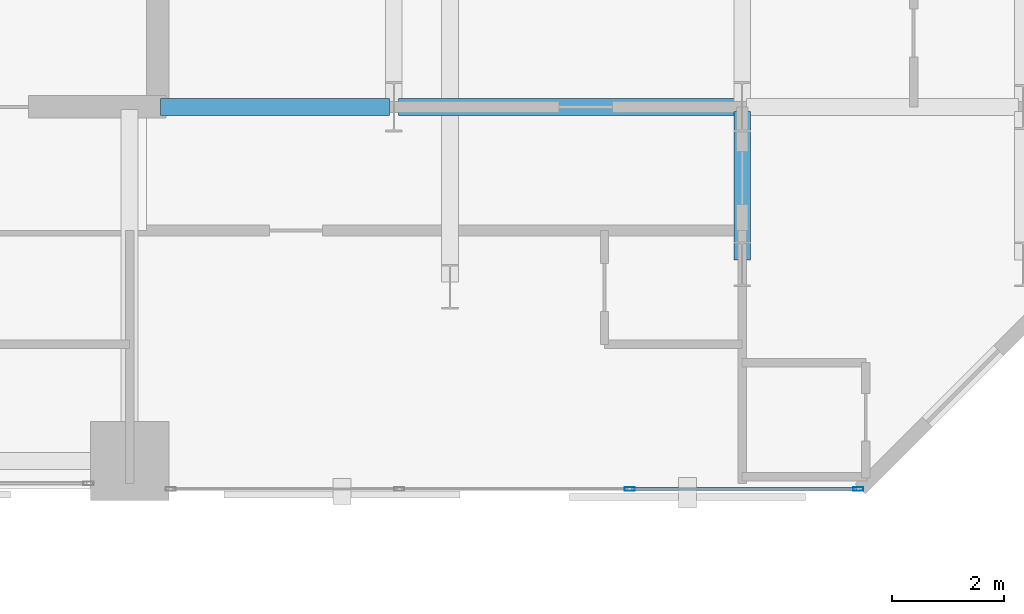
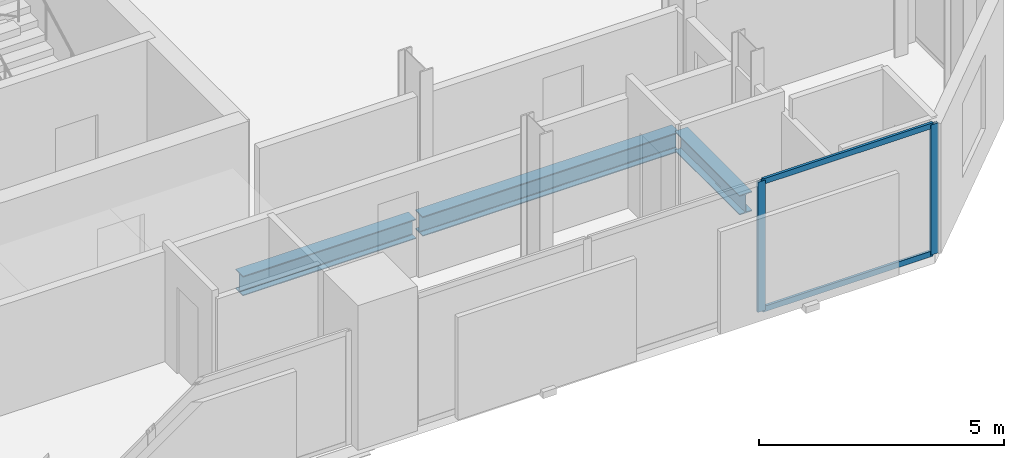
# One storey, part 16 of 33: 4 members, 3 beams, 1 element without a shape of its own.
"""IFC4 building model written with IfcOpenShell, lengths in metres."""

import ifcopenshell
import ifcopenshell.guid

model = None  # the IFC model being written
_history = None  # IfcOwnerHistory: only IFC2X3 demands one
_inside = {}  # id of a spatial element -> (the spatial element, [elements in it])
_under = {}  # id of a project, library or spatial element -> (it, [spatial elements below it])
_declared = {}  # id of a project -> (the project, [libraries it declares])
_typed = {}  # id of a type object -> (the type object, [elements of that type])
_made_of = {}  # id of a material, layer set ... -> (it, [elements and type objects made of it])


def new_model(schema):
    """Start an empty IFC model of exactly this schema.

    Asked for "IFC4X3", IfcOpenShell would pick the latest addendum, in which some entities
    have other attributes; the version numbers below select the first issue.
    IFC2X3 requires an IfcOwnerHistory on every rooted entity: one is made here for all.
    """
    global model, _history
    if schema == "IFC4X3":
        model = ifcopenshell.file(schema_version=(4, 3, 0, 0))
    else:
        model = ifcopenshell.file(schema=schema)
    _inside.clear()
    _under.clear()
    _declared.clear()
    _typed.clear()
    _made_of.clear()
    _history = None
    if model.schema == "IFC2X3":
        org = make("IfcOrganization", Name="unknown")
        user = make(
            "IfcPersonAndOrganization",
            ThePerson=make("IfcPerson", FamilyName="unknown"),
            TheOrganization=org,
        )
        app = make(
            "IfcApplication",
            ApplicationDeveloper=org,
            Version="unknown",
            ApplicationFullName="unknown",
            ApplicationIdentifier="unknown",
        )
        _history = make(
            "IfcOwnerHistory",
            OwningUser=user,
            OwningApplication=app,
            ChangeAction="ADDED",
            CreationDate=0,
        )
    return model


def make(cls, **values):
    """One entity of the class cls with the attributes given. An attribute that is None is left unset."""
    return model.create_entity(
        cls, **{name: value for name, value in values.items() if value is not None}
    )


def rooted(cls, **values):
    """An entity with a GlobalId (a new one), such as an element, a storey or a relation."""
    return make(cls, GlobalId=ifcopenshell.guid.new(), OwnerHistory=_history, **values)


def si_unit(unit_type, name, prefix=None):
    """IfcSIUnit, for example si_unit("LENGTHUNIT", "METRE", prefix="MILLI")."""
    return make("IfcSIUnit", UnitType=unit_type, Prefix=prefix, Name=name)


def assignment(units):
    """IfcUnitAssignment: the units of a project."""
    return None if units is None else make("IfcUnitAssignment", Units=units)


def point(xyz):
    """IfcCartesianPoint."""
    return None if xyz is None else make("IfcCartesianPoint", Coordinates=xyz)


def direction(xyz):
    """IfcDirection."""
    return None if xyz is None else make("IfcDirection", DirectionRatios=xyz)


def frame(location, z_axis=None, x_axis=None):
    """IfcAxis2Placement3D, a coordinate frame: its origin and axes. An axis left out is left unset."""
    return make(
        "IfcAxis2Placement3D",
        Location=point(location),
        Axis=direction(z_axis),
        RefDirection=direction(x_axis),
    )


def frame_2d(location, x_axis=None):
    """IfcAxis2Placement2D, a coordinate frame in the plane: its origin and x axis."""
    return make(
        "IfcAxis2Placement2D", Location=point(location), RefDirection=direction(x_axis)
    )


def origin():
    """The frame at (0, 0, 0) with its axes left unset."""
    return frame((0.0, 0.0, 0.0))


def origin_2d():
    """The frame at (0, 0) in the plane with its x axis left unset."""
    return frame_2d((0.0, 0.0))


def place(relative_to, where):
    """IfcLocalPlacement: puts the frame where relative to a parent placement (None: the world)."""
    return make(
        "IfcLocalPlacement", PlacementRelTo=relative_to, RelativePlacement=where
    )


def context(
    kind, dimensions, precision=None, world=None, true_north=None, identifier=None
):
    """IfcGeometricRepresentationContext, for example the 3D "Model" context."""
    return make(
        "IfcGeometricRepresentationContext",
        ContextIdentifier=identifier,
        ContextType=kind,
        CoordinateSpaceDimension=dimensions,
        Precision=precision,
        WorldCoordinateSystem=world,
        TrueNorth=true_north,
    )


def subcontext(parent, identifier, kind, view, scale=None):
    """IfcGeometricRepresentationSubContext, for example "Body" below "Model"."""
    return make(
        "IfcGeometricRepresentationSubContext",
        ContextIdentifier=identifier,
        ContextType=kind,
        ParentContext=parent,
        TargetScale=scale,
        TargetView=view,
    )


def project(units=None, contexts=None):
    """IfcProject with its units and contexts."""
    return rooted(
        "IfcProject",
        Name="project",
        RepresentationContexts=contexts,
        UnitsInContext=assignment(units),
    )


def spatial(cls, under=None, at=None, **own):
    """A site, building, storey or space (cls), placed at a placement, below another one or the project."""
    s = rooted(cls, ObjectPlacement=at, **own)
    if under is not None:
        _under.setdefault(under.id(), (under, []))[1].append(s)
    return s


def profile(cls, at=None, kind="AREA", **sizes):
    """A parametric profile (cls). Its sizes go by their IFC names, for example OverallWidth=200.0."""
    return make(cls, ProfileType=kind, Position=at, **sizes)


def hollow_rectangle(**sizes):
    """IfcRectangleHollowProfileDef."""
    return profile("IfcRectangleHollowProfileDef", **sizes)


def i_section(**sizes):
    """IfcIShapeProfileDef."""
    return profile("IfcIShapeProfileDef", **sizes)


def extrude(swept, where, along, depth):
    """IfcExtrudedAreaSolid: the profile swept, set in the frame where, extruded along a direction by depth."""
    return make(
        "IfcExtrudedAreaSolid",
        SweptArea=swept,
        Position=where,
        ExtrudedDirection=direction(along),
        Depth=depth,
    )


def shape(context_of_items, identifier, shape_type, items):
    """IfcShapeRepresentation: the items that make up one representation, for example the "Body"."""
    return make(
        "IfcShapeRepresentation",
        ContextOfItems=context_of_items,
        RepresentationIdentifier=identifier,
        RepresentationType=shape_type,
        Items=items,
    )


def material(Name=None, Category=None):
    """IfcMaterial."""
    return make("IfcMaterial", Name=Name, Category=Category)


def layer(
    of_material, thickness, ventilated=None, Name=None, Category=None, Priority=None
):
    """IfcMaterialLayer: one layer of a wall or slab, of a material (None: an air gap)."""
    return make(
        "IfcMaterialLayer",
        Material=of_material,
        LayerThickness=thickness,
        IsVentilated=ventilated,
        Name=Name,
        Category=Category,
        Priority=Priority,
    )


def layer_set(layers, Name=None):
    """IfcMaterialLayerSet."""
    return make("IfcMaterialLayerSet", MaterialLayers=layers, LayerSetName=Name)


def material_profile(
    of_material, cross_section, Name=None, Category=None, Priority=None
):
    """IfcMaterialProfile: a cross section and its material."""
    return make(
        "IfcMaterialProfile",
        Name=Name,
        Material=of_material,
        Profile=cross_section,
        Priority=Priority,
        Category=Category,
    )


def profile_set(profiles, Name=None, composite=None):
    """IfcMaterialProfileSet."""
    return make(
        "IfcMaterialProfileSet",
        Name=Name,
        MaterialProfiles=profiles,
        CompositeProfile=composite,
    )


def made_of(thing, what):
    """Note that an element or type object is made of a material, layer set ...; save() writes the relation."""
    if what is not None:
        _made_of.setdefault(what.id(), (what, []))[1].append(thing)
    return thing


def type_object(cls, material=None, **own):
    """A type object (cls), such as IfcWallType, which elements share."""
    return made_of(rooted(cls, **own), material)


def element(
    cls,
    number,
    at=None,
    inside=None,
    cuts=None,
    type_object=None,
    material=None,
    context=None,
    identifier="Body",
    shape_type=None,
    held_by="IfcProductDefinitionShape",
    body=None,
    shapes=None,
    **own,
):
    """One element of the class cls, such as IfcWall. Its Tag is "e" and its number.

    at: its placement. inside: the storey or other place that contains it. cuts: it is an
    opening in that element (IfcRelVoidsElement). A single representation is given by context,
    identifier, shape_type and body (its items); several are given by shapes. held_by: the class
    of the entity that holds the representations. save() writes the other relations.
    """
    e = rooted(cls, Tag="e%d" % number, ObjectPlacement=at, **own)
    if body is not None:
        shapes = [shape(context, identifier, shape_type, body)]
    if shapes is not None:
        e.Representation = make(held_by, Representations=shapes)
    if inside is not None:
        _inside.setdefault(inside.id(), (inside, []))[1].append(e)
    if cuts is not None:
        rooted(
            "IfcRelVoidsElement", RelatingBuildingElement=cuts, RelatedOpeningElement=e
        )
    if type_object is not None:
        _typed.setdefault(type_object.id(), (type_object, []))[1].append(e)
    return made_of(e, material)


def aggregate(whole, parts):
    """IfcRelAggregates: a whole, such as a stair, and the parts it consists of."""
    return rooted("IfcRelAggregates", RelatingObject=whole, RelatedObjects=parts)


def save(model, path):
    """Write the relations noted so far, then the file.

    IfcRelAggregates (storeys below a building ...), IfcRelContainedInSpatialStructure (elements
    in a storey), IfcRelDefinesByType, IfcRelAssociatesMaterial and IfcRelDeclares: one each for
    every whole, place, type object, material and project.
    """
    for whole, parts in _under.values():
        aggregate(whole, parts)
    for where, things in _inside.values():
        rooted(
            "IfcRelContainedInSpatialStructure",
            RelatedElements=things,
            RelatingStructure=where,
        )
    for kind, things in _typed.values():
        rooted("IfcRelDefinesByType", RelatedObjects=things, RelatingType=kind)
    for what, things in _made_of.values():
        rooted("IfcRelAssociatesMaterial", RelatedObjects=things, RelatingMaterial=what)
    for by, libraries in _declared.values():
        rooted("IfcRelDeclares", RelatingContext=by, RelatedDefinitions=libraries)
    model.write(path)


model = new_model("IFC4")

# Units and contexts
model_context = context("Model", 3, precision=1e-05, world=origin(), true_north=direction((0.0, 1.0)))
body_context = subcontext(model_context, "Body", "Model", "MODEL_VIEW")
ifc_project = project(units=[si_unit("LENGTHUNIT", "METRE"), si_unit("AREAUNIT", "SQUARE_METRE"), si_unit("VOLUMEUNIT", "CUBIC_METRE"), si_unit("PLANEANGLEUNIT", "RADIAN"), si_unit("MASSUNIT", "GRAM", prefix="KILO")], contexts=[model_context])

# Site, building, storey
site_placement = place(None, origin())
site = spatial("IfcSite", under=ifc_project, at=site_placement, CompositionType="ELEMENT")
building_placement = place(site_placement, origin())
building = spatial("IfcBuilding", under=site, at=building_placement, Name="Catumbela Crestline Tower", CompositionType="ELEMENT")
storey_placement = place(building_placement, frame((0.0, 0.0, 76.2)))
storey = spatial("IfcBuildingStorey", under=building, at=storey_placement, Name="L19", CompositionType="ELEMENT", Elevation=76.2)

# Beams
ifc_material_1 = material(Name="Structural steel S355J2", Category="steel")
ifc_material_profile_1 = material_profile(ifc_material_1, i_section(OverallWidth=0.3, OverallDepth=0.49, WebThickness=0.012, FlangeThickness=0.023, FilletRadius=0.027, at=origin_2d()), Name="HEA 500")
ifc_profile_set_1 = profile_set([ifc_material_profile_1], Name="Structural steel S355J2")
beam_type = type_object("IfcBeamType", Name="BG-HEA500", PredefinedType="BEAM", material=ifc_profile_set_1)
beam_1_placement = place(storey_placement, frame((40.05, 30.8, -0.505), z_axis=(1.0, 0.0, 0.0), x_axis=(0.0, 1.0, 0.0)))
element("IfcBeam", 1, at=beam_1_placement, inside=storey, type_object=beam_type, Name="L19 Beam BM-L19-M10", PredefinedType="BEAM", context=body_context, shape_type="SweptSolid", body=[
    extrude(i_section(OverallWidth=0.3, OverallDepth=0.49, WebThickness=0.012, FlangeThickness=0.023, FilletRadius=0.027, at=origin_2d()), origin(), (0.0, 0.0, 1.0), 4.07),
])
beam_2_placement = place(storey_placement, frame((44.28, 30.8, -0.505), z_axis=(1.0, 0.0, 0.0), x_axis=(0.0, 1.0, 0.0)))
element("IfcBeam", 2, at=beam_2_placement, inside=storey, type_object=beam_type, Name="L19 Beam BM-L19-M11", PredefinedType="BEAM", context=body_context, shape_type="SweptSolid", body=[
    extrude(i_section(OverallWidth=0.3, OverallDepth=0.49, WebThickness=0.012, FlangeThickness=0.023, FilletRadius=0.027, at=origin_2d()), origin(), (0.0, 0.0, 1.0), 6.04),
])
beam_3_placement = place(storey_placement, frame((50.4, 28.08, -0.505), z_axis=(0.0, 1.0, 0.0), x_axis=(-1.0, 0.0, 0.0)))
element("IfcBeam", 3, at=beam_3_placement, inside=storey, type_object=beam_type, Name="L19 Beam BM-L19-SN37", PredefinedType="BEAM", context=body_context, shape_type="SweptSolid", body=[
    extrude(i_section(OverallWidth=0.3, OverallDepth=0.49, WebThickness=0.012, FlangeThickness=0.023, FilletRadius=0.027, at=origin_2d()), origin(), (0.0, 0.0, 1.0), 2.64),
])

# Curtain wall, members
ifc_material_2 = material(Name="Aluminium alloy AW-6060-T66", Category="aluminium")
ifc_layer = layer(ifc_material_2, 0.18, Name="Aluminium alloy AW-6060-T66")
ifc_layer_set = layer_set([ifc_layer], Name="Aluminium alloy AW-6060-T66")
curtain_wall_type = type_object("IfcCurtainWallType", Name="CWU-Z1", PredefinedType="USERDEFINED", material=ifc_layer_set)
curtain_wall_placement = place(storey_placement, origin())
curtain_wall = element("IfcCurtainWall", 4, at=curtain_wall_placement, inside=storey, type_object=curtain_wall_type, Name="L19 Unitised Curtain Wall CW-L19-E3S2", ObjectType="UNITISED", PredefinedType="USERDEFINED")
ifc_material_profile_2 = material_profile(ifc_material_2, hollow_rectangle(XDim=0.065, YDim=0.18, WallThickness=0.004, at=origin_2d()), Name="ALU 180x65x4")
ifc_profile_set_2 = profile_set([ifc_material_profile_2], Name="Aluminium alloy AW-6060-T66")
member_type_1 = type_object("IfcMemberType", Name="MUL-180X65", PredefinedType="MULLION", material=ifc_profile_set_2)
member_1_placement = place(storey_placement, frame((48.4, 24.0, 0.0), z_axis=(0.0, 0.0, 1.0), x_axis=(0.0, 1.0, 0.0)))
member_1 = element("IfcMember", 5, at=member_1_placement, type_object=member_type_1, Name="CWU-Z1 mullion 3", PredefinedType="MULLION", context=body_context, shape_type="SweptSolid", body=[
    extrude(hollow_rectangle(XDim=0.065, YDim=0.18, WallThickness=0.004, at=origin_2d()), origin(), (0.0, 0.0, 1.0), 3.24),
])
member_2_placement = place(storey_placement, frame((52.4675, 24.0, 0.0), z_axis=(0.0, 0.0, 1.0), x_axis=(0.0, 1.0, 0.0)))
member_2 = element("IfcMember", 6, at=member_2_placement, type_object=member_type_1, Name="CWU-Z1 mullion 4", PredefinedType="MULLION", context=body_context, shape_type="SweptSolid", body=[
    extrude(hollow_rectangle(XDim=0.065, YDim=0.18, WallThickness=0.004, at=origin_2d()), origin(), (0.0, 0.0, 1.0), 3.24),
])
ifc_material_profile_3 = material_profile(ifc_material_2, hollow_rectangle(XDim=0.06, YDim=0.14, WallThickness=0.004, at=origin_2d()), Name="ALU 140x60x4")
ifc_profile_set_3 = profile_set([ifc_material_profile_3], Name="Aluminium alloy AW-6060-T66")
member_type_2 = type_object("IfcMemberType", Name="TRN-140X60", PredefinedType="USERDEFINED", material=ifc_profile_set_3)
member_3_placement = place(storey_placement, frame((48.4325, 24.0, 0.03), z_axis=(1.0, 0.0, 0.0), x_axis=(0.0, 1.0, 0.0)))
member_3 = element("IfcMember", 7, at=member_3_placement, type_object=member_type_2, Name="CWU-Z1 transom 3.1", ObjectType="TRANSOM", PredefinedType="USERDEFINED", context=body_context, shape_type="SweptSolid", body=[
    extrude(hollow_rectangle(XDim=0.06, YDim=0.14, WallThickness=0.004, at=origin_2d()), origin(), (0.0, 0.0, 1.0), 4.0025),
])
member_4_placement = place(storey_placement, frame((48.4325, 24.0, 3.21), z_axis=(1.0, 0.0, 0.0), x_axis=(0.0, 1.0, 0.0)))
member_4 = element("IfcMember", 8, at=member_4_placement, type_object=member_type_2, Name="CWU-Z1 transom 3.2", ObjectType="TRANSOM", PredefinedType="USERDEFINED", context=body_context, shape_type="SweptSolid", body=[
    extrude(hollow_rectangle(XDim=0.06, YDim=0.14, WallThickness=0.004, at=origin_2d()), origin(), (0.0, 0.0, 1.0), 4.0025),
])
aggregate(curtain_wall, [member_1, member_2, member_3, member_4])

save(model, "model.ifc")
